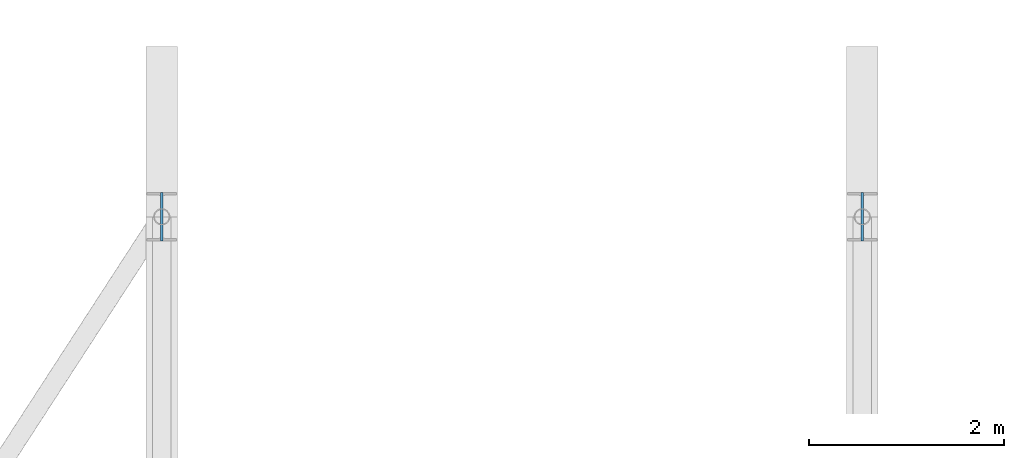
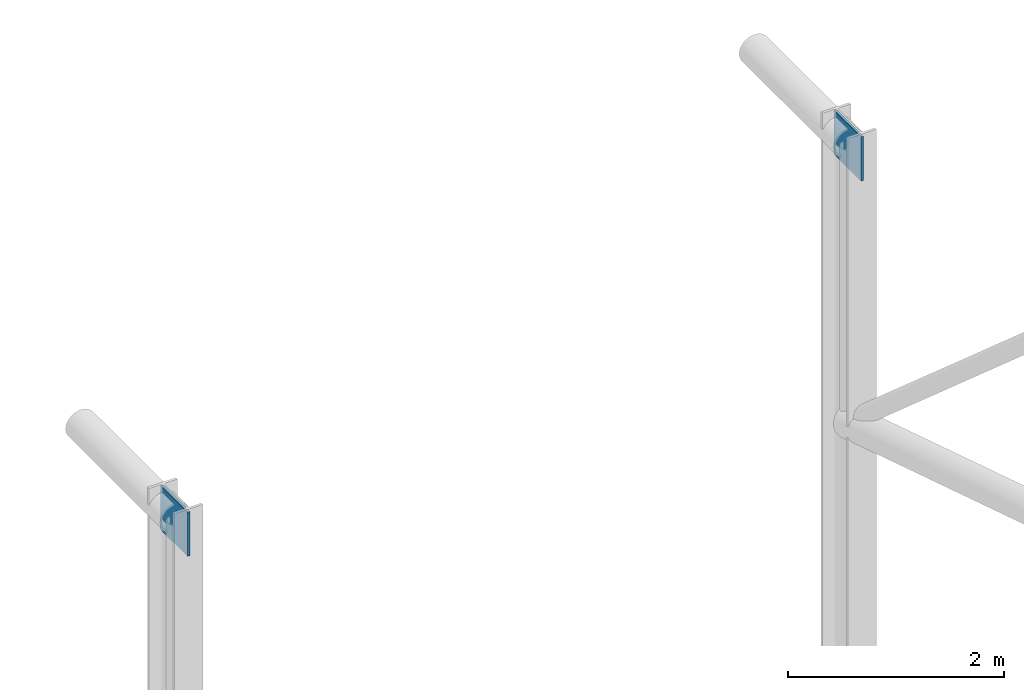
# One storey, part 134 of 153: 2 plates.
"""IFC4 building model written with IfcOpenShell, lengths in metres."""

import ifcopenshell
import ifcopenshell.guid

model = None  # the IFC model being written
_history = None  # IfcOwnerHistory: only IFC2X3 demands one
_inside = {}  # id of a spatial element -> (the spatial element, [elements in it])
_under = {}  # id of a project, library or spatial element -> (it, [spatial elements below it])
_declared = {}  # id of a project -> (the project, [libraries it declares])
_typed = {}  # id of a type object -> (the type object, [elements of that type])
_made_of = {}  # id of a material, layer set ... -> (it, [elements and type objects made of it])


def new_model(schema):
    """Start an empty IFC model of exactly this schema.

    Asked for "IFC4X3", IfcOpenShell would pick the latest addendum, in which some entities
    have other attributes; the version numbers below select the first issue.
    IFC2X3 requires an IfcOwnerHistory on every rooted entity: one is made here for all.
    """
    global model, _history
    if schema == "IFC4X3":
        model = ifcopenshell.file(schema_version=(4, 3, 0, 0))
    else:
        model = ifcopenshell.file(schema=schema)
    _inside.clear()
    _under.clear()
    _declared.clear()
    _typed.clear()
    _made_of.clear()
    _history = None
    if model.schema == "IFC2X3":
        org = make("IfcOrganization", Name="unknown")
        user = make(
            "IfcPersonAndOrganization",
            ThePerson=make("IfcPerson", FamilyName="unknown"),
            TheOrganization=org,
        )
        app = make(
            "IfcApplication",
            ApplicationDeveloper=org,
            Version="unknown",
            ApplicationFullName="unknown",
            ApplicationIdentifier="unknown",
        )
        _history = make(
            "IfcOwnerHistory",
            OwningUser=user,
            OwningApplication=app,
            ChangeAction="ADDED",
            CreationDate=0,
        )
    return model


def make(cls, **values):
    """One entity of the class cls with the attributes given. An attribute that is None is left unset."""
    return model.create_entity(
        cls, **{name: value for name, value in values.items() if value is not None}
    )


def rooted(cls, **values):
    """An entity with a GlobalId (a new one), such as an element, a storey or a relation."""
    return make(cls, GlobalId=ifcopenshell.guid.new(), OwnerHistory=_history, **values)


def si_unit(unit_type, name, prefix=None):
    """IfcSIUnit, for example si_unit("LENGTHUNIT", "METRE", prefix="MILLI")."""
    return make("IfcSIUnit", UnitType=unit_type, Prefix=prefix, Name=name)


def derived_unit(unit_type, elements):
    """IfcDerivedUnit: a product of units, each with its exponent."""
    return make(
        "IfcDerivedUnit",
        Elements=[
            make("IfcDerivedUnitElement", Unit=unit, Exponent=power)
            for unit, power in elements
        ],
        UnitType=unit_type,
    )


def assignment(units):
    """IfcUnitAssignment: the units of a project."""
    return None if units is None else make("IfcUnitAssignment", Units=units)


def point(xyz):
    """IfcCartesianPoint."""
    return None if xyz is None else make("IfcCartesianPoint", Coordinates=xyz)


def direction(xyz):
    """IfcDirection."""
    return None if xyz is None else make("IfcDirection", DirectionRatios=xyz)


def frame(location, z_axis=None, x_axis=None):
    """IfcAxis2Placement3D, a coordinate frame: its origin and axes. An axis left out is left unset."""
    return make(
        "IfcAxis2Placement3D",
        Location=point(location),
        Axis=direction(z_axis),
        RefDirection=direction(x_axis),
    )


def frame_2d(location, x_axis=None):
    """IfcAxis2Placement2D, a coordinate frame in the plane: its origin and x axis."""
    return make(
        "IfcAxis2Placement2D", Location=point(location), RefDirection=direction(x_axis)
    )


def origin():
    """The frame at (0, 0, 0) with its axes left unset."""
    return frame((0.0, 0.0, 0.0))


def origin_2d():
    """The frame at (0, 0) in the plane with its x axis left unset."""
    return frame_2d((0.0, 0.0))


def place(relative_to, where):
    """IfcLocalPlacement: puts the frame where relative to a parent placement (None: the world)."""
    return make(
        "IfcLocalPlacement", PlacementRelTo=relative_to, RelativePlacement=where
    )


def context(
    kind, dimensions, precision=None, world=None, true_north=None, identifier=None
):
    """IfcGeometricRepresentationContext, for example the 3D "Model" context."""
    return make(
        "IfcGeometricRepresentationContext",
        ContextIdentifier=identifier,
        ContextType=kind,
        CoordinateSpaceDimension=dimensions,
        Precision=precision,
        WorldCoordinateSystem=world,
        TrueNorth=true_north,
    )


def subcontext(parent, identifier, kind, view, scale=None):
    """IfcGeometricRepresentationSubContext, for example "Body" below "Model"."""
    return make(
        "IfcGeometricRepresentationSubContext",
        ContextIdentifier=identifier,
        ContextType=kind,
        ParentContext=parent,
        TargetScale=scale,
        TargetView=view,
    )


def project(units=None, contexts=None):
    """IfcProject with its units and contexts."""
    return rooted(
        "IfcProject",
        Name="project",
        RepresentationContexts=contexts,
        UnitsInContext=assignment(units),
    )


def spatial(cls, under=None, at=None, **own):
    """A site, building, storey or space (cls), placed at a placement, below another one or the project."""
    s = rooted(cls, ObjectPlacement=at, **own)
    if under is not None:
        _under.setdefault(under.id(), (under, []))[1].append(s)
    return s


def profile(cls, at=None, kind="AREA", **sizes):
    """A parametric profile (cls). Its sizes go by their IFC names, for example OverallWidth=200.0."""
    return make(cls, ProfileType=kind, Position=at, **sizes)


def rectangle(**sizes):
    """IfcRectangleProfileDef."""
    return profile("IfcRectangleProfileDef", **sizes)


def extrude(swept, where, along, depth):
    """IfcExtrudedAreaSolid: the profile swept, set in the frame where, extruded along a direction by depth."""
    return make(
        "IfcExtrudedAreaSolid",
        SweptArea=swept,
        Position=where,
        ExtrudedDirection=direction(along),
        Depth=depth,
    )


def shape(context_of_items, identifier, shape_type, items):
    """IfcShapeRepresentation: the items that make up one representation, for example the "Body"."""
    return make(
        "IfcShapeRepresentation",
        ContextOfItems=context_of_items,
        RepresentationIdentifier=identifier,
        RepresentationType=shape_type,
        Items=items,
    )


def material(Name=None, Category=None):
    """IfcMaterial."""
    return make("IfcMaterial", Name=Name, Category=Category)


def layer(
    of_material, thickness, ventilated=None, Name=None, Category=None, Priority=None
):
    """IfcMaterialLayer: one layer of a wall or slab, of a material (None: an air gap)."""
    return make(
        "IfcMaterialLayer",
        Material=of_material,
        LayerThickness=thickness,
        IsVentilated=ventilated,
        Name=Name,
        Category=Category,
        Priority=Priority,
    )


def layer_set(layers, Name=None):
    """IfcMaterialLayerSet."""
    return make("IfcMaterialLayerSet", MaterialLayers=layers, LayerSetName=Name)


def made_of(thing, what):
    """Note that an element or type object is made of a material, layer set ...; save() writes the relation."""
    if what is not None:
        _made_of.setdefault(what.id(), (what, []))[1].append(thing)
    return thing


def type_object(cls, material=None, **own):
    """A type object (cls), such as IfcWallType, which elements share."""
    return made_of(rooted(cls, **own), material)


def element(
    cls,
    number,
    at=None,
    inside=None,
    cuts=None,
    type_object=None,
    material=None,
    context=None,
    identifier="Body",
    shape_type=None,
    held_by="IfcProductDefinitionShape",
    body=None,
    shapes=None,
    **own,
):
    """One element of the class cls, such as IfcWall. Its Tag is "e" and its number.

    at: its placement. inside: the storey or other place that contains it. cuts: it is an
    opening in that element (IfcRelVoidsElement). A single representation is given by context,
    identifier, shape_type and body (its items); several are given by shapes. held_by: the class
    of the entity that holds the representations. save() writes the other relations.
    """
    e = rooted(cls, Tag="e%d" % number, ObjectPlacement=at, **own)
    if body is not None:
        shapes = [shape(context, identifier, shape_type, body)]
    if shapes is not None:
        e.Representation = make(held_by, Representations=shapes)
    if inside is not None:
        _inside.setdefault(inside.id(), (inside, []))[1].append(e)
    if cuts is not None:
        rooted(
            "IfcRelVoidsElement", RelatingBuildingElement=cuts, RelatedOpeningElement=e
        )
    if type_object is not None:
        _typed.setdefault(type_object.id(), (type_object, []))[1].append(e)
    return made_of(e, material)


def aggregate(whole, parts):
    """IfcRelAggregates: a whole, such as a stair, and the parts it consists of."""
    return rooted("IfcRelAggregates", RelatingObject=whole, RelatedObjects=parts)


def save(model, path):
    """Write the relations noted so far, then the file.

    IfcRelAggregates (storeys below a building ...), IfcRelContainedInSpatialStructure (elements
    in a storey), IfcRelDefinesByType, IfcRelAssociatesMaterial and IfcRelDeclares: one each for
    every whole, place, type object, material and project.
    """
    for whole, parts in _under.values():
        aggregate(whole, parts)
    for where, things in _inside.values():
        rooted(
            "IfcRelContainedInSpatialStructure",
            RelatedElements=things,
            RelatingStructure=where,
        )
    for kind, things in _typed.values():
        rooted("IfcRelDefinesByType", RelatedObjects=things, RelatingType=kind)
    for what, things in _made_of.values():
        rooted("IfcRelAssociatesMaterial", RelatedObjects=things, RelatingMaterial=what)
    for by, libraries in _declared.values():
        rooted("IfcRelDeclares", RelatingContext=by, RelatedDefinitions=libraries)
    model.write(path)


model = new_model("IFC4")

# Units and contexts
model_context = context("Model", 3, precision=1e-05, world=origin(), true_north=direction((0.0, 1.0)))
body_context = subcontext(model_context, "Body", "Model", "MODEL_VIEW")
ifc_project = project(units=[si_unit("LENGTHUNIT", "METRE"), si_unit("AREAUNIT", "SQUARE_METRE"), si_unit("VOLUMEUNIT", "CUBIC_METRE"), si_unit("PLANEANGLEUNIT", "RADIAN"), si_unit("MASSUNIT", "GRAM", prefix="KILO"), derived_unit("THERMALTRANSMITTANCEUNIT", [(si_unit("POWERUNIT", "WATT"), 1), (si_unit("LENGTHUNIT", "METRE"), -2), (si_unit("THERMODYNAMICTEMPERATUREUNIT", "KELVIN"), -1)])], contexts=[model_context])

# Site, building, storey
site_placement = place(None, origin())
site = spatial("IfcSite", under=ifc_project, at=site_placement, CompositionType="ELEMENT")
building_placement = place(site_placement, origin())
building = spatial("IfcBuilding", under=site, at=building_placement, Name="Keldorne Ridge Multi-Sports Centre", CompositionType="ELEMENT")
storey_placement = place(building_placement, frame((0.0, 0.0, 9.60009765625)))
storey = spatial("IfcBuildingStorey", under=building, at=storey_placement, Name="L02", CompositionType="ELEMENT", Elevation=9.60009765625)

# Plates
ifc_material = material(Name="Steel S355", Category="steel")
ifc_layer = layer(ifc_material, 0.02490234375)
ifc_layer_set = layer_set([ifc_layer], Name="Steel S355")
plate_type = type_object("IfcPlateType", Name="PLT-PL-GS1", PredefinedType="USERDEFINED", material=ifc_layer_set)
for number, where, z_axis, x_axis, name in (
    (1, (56.39990234375, 54.0, 5.809814453125), (0.0, 0.0, 1.0), (1.0, 0.0, 0.0), "Truss node gusset plate TN-024"),
    (2, (63.60009765625, 54.0, 7.52978515625), (0.0, 0.0, 1.0), (1.0, 0.0, 0.0), "Truss node gusset plate TN-027"),
):
    element("IfcPlate", number, at=place(storey_placement, frame(where, z_axis=z_axis, x_axis=x_axis)), inside=storey, type_object=plate_type, Name=name, ObjectType="GUSSET PLATE", PredefinedType="USERDEFINED", context=body_context, shape_type="SweptSolid", body=[
        extrude(rectangle(XDim=0.02490234375, YDim=0.5, at=origin_2d()), origin(), (0.0, 0.0, 1.0), 0.5),
    ])

save(model, "model.ifc")
